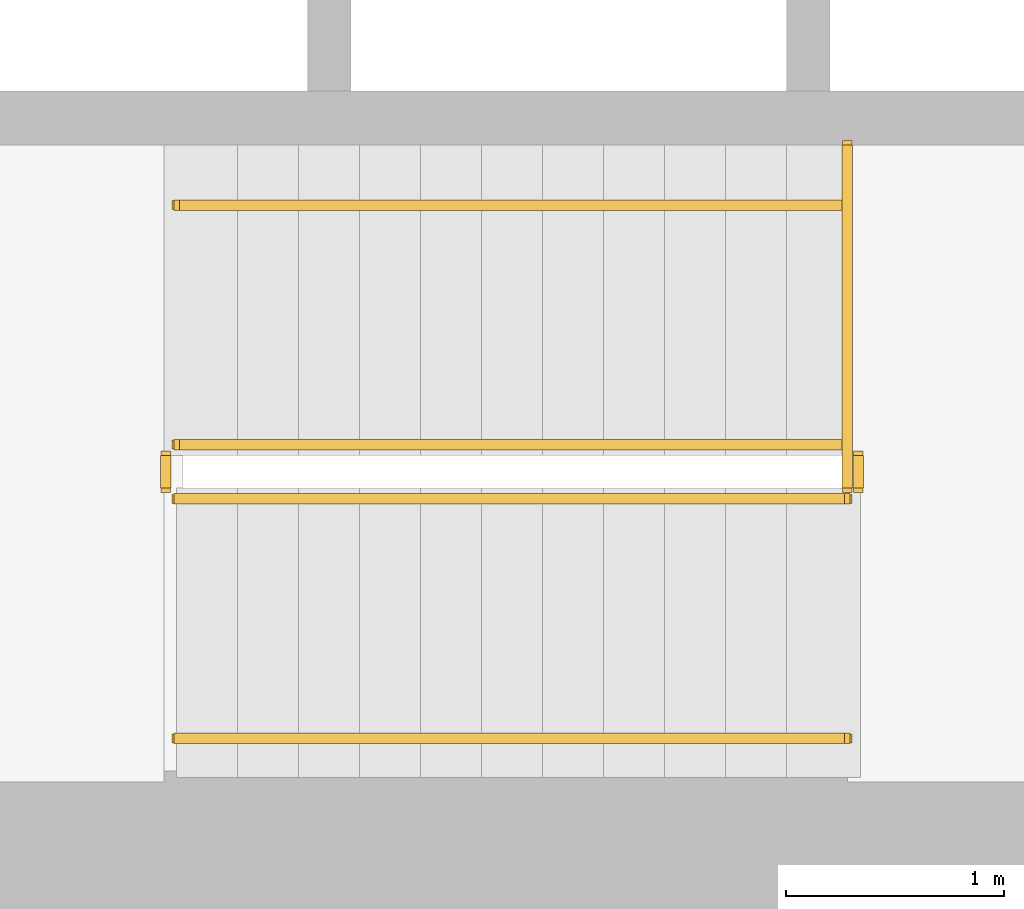
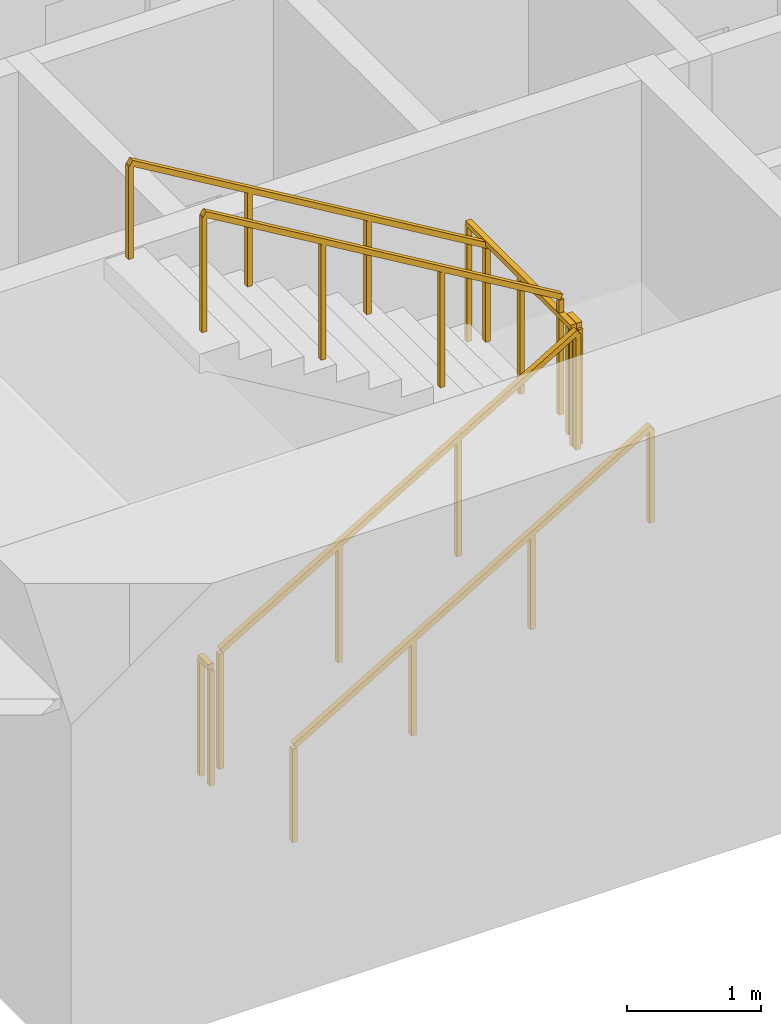
# One storey, part 14 of 17: 7 railings.
"""IFC4 building model written with IfcOpenShell, lengths in metres."""

from ifc_helpers import new_model, si_unit, direction, frame, origin, origin_2d, place, context, subcontext, project, spatial, rectangle, extrude, material, type_object, element, save


model = new_model("IFC4")

# Units and contexts
model_context = context("Model", 3, precision=1e-05, world=origin(), true_north=direction((0.0, 1.0)))
body_context = subcontext(model_context, "Body", "Model", "MODEL_VIEW")
ifc_project = project(units=[si_unit("LENGTHUNIT", "METRE"), si_unit("AREAUNIT", "SQUARE_METRE"), si_unit("VOLUMEUNIT", "CUBIC_METRE"), si_unit("PLANEANGLEUNIT", "RADIAN"), si_unit("MASSUNIT", "GRAM", prefix="KILO")], contexts=[model_context])

# Site, building, storey
site_placement = place(None, origin())
site = spatial("IfcSite", under=ifc_project, at=site_placement, CompositionType="ELEMENT")
building_placement = place(site_placement, origin())
building = spatial("IfcBuilding", under=site, at=building_placement, Name="Sennacour Bend Tower", CompositionType="ELEMENT")
storey_placement = place(building_placement, frame((0.0, 0.0, 53.0)))
storey = spatial("IfcBuildingStorey", under=building, at=storey_placement, Name="L11", CompositionType="ELEMENT", Elevation=53.0)

# Railings
ifc_material = material(Name="Stainless steel", Category="steel")
railing_type_1 = type_object("IfcRailingType", Name="RL-GUARD-1100", PredefinedType="GUARDRAIL", material=ifc_material)
railing_1_placement = place(storey_placement, frame((56.699951171875, 2.449951171875, 0.166748046875)))
element("IfcRailing", 1, at=railing_1_placement, inside=storey, type_object=railing_type_1, Name="L11 SA1 stair guard 1", PredefinedType="GUARDRAIL", context=body_context, shape_type="SweptSolid", body=[
    extrude(rectangle(XDim=0.048095703125, YDim=0.048095703125, at=origin_2d()), frame((0.0, 0.0, 1.076171875), z_axis=(0.859308565015, 0.0, 0.511457515432), x_axis=(0.0, 1.0, 0.0)), (0.0, 0.0, 1.0), 3.58447265625),
    extrude(rectangle(XDim=0.0419921875, YDim=0.0419921875, at=origin_2d()), origin(), (0.0, 0.0, 1.0), 1.052001953125),
    extrude(rectangle(XDim=0.0419921875, YDim=0.0419921875, at=origin_2d()), frame((1.026611328125, 0.0, 0.611083984375)), (0.0, 0.0, 1.0), 1.052001953125),
    extrude(rectangle(XDim=0.0419921875, YDim=0.0419921875, at=origin_2d()), frame((2.053466796875, 0.0, 1.22216796875)), (0.0, 0.0, 1.0), 1.052001953125),
    extrude(rectangle(XDim=0.0419921875, YDim=0.0419921875, at=origin_2d()), frame((3.080078125, 0.0, 1.833251953125)), (0.0, 0.0, 1.0), 1.052001953125),
])
railing_2_placement = place(storey_placement, frame((59.830078125, 2.5, 2.0)))
element("IfcRailing", 2, at=railing_2_placement, inside=storey, type_object=railing_type_1, Name="L11 SA1 stair guard 2", PredefinedType="GUARDRAIL", context=body_context, shape_type="SweptSolid", body=[
    extrude(rectangle(XDim=0.048095703125, YDim=0.048095703125, at=origin_2d()), frame((0.0, 0.0, 1.076171875), z_axis=(0.0, 1.0, 0.0), x_axis=(-1.0, 0.0, 0.0)), (0.0, 0.0, 1.0), 0.14990234375),
    extrude(rectangle(XDim=0.0419921875, YDim=0.0419921875, at=origin_2d()), origin(), (0.0, 0.0, 1.0), 1.052001953125),
    extrude(rectangle(XDim=0.0419921875, YDim=0.0419921875, at=origin_2d()), frame((0.0, 0.14990234375, 0.0)), (0.0, 0.0, 1.0), 1.052001953125),
])
railing_3_placement = place(storey_placement, frame((59.780029296875, 2.699951171875, 2.166748046875)))
element("IfcRailing", 3, at=railing_3_placement, inside=storey, type_object=railing_type_1, Name="L11 SA1 stair guard 4", PredefinedType="GUARDRAIL", context=body_context, shape_type="SweptSolid", body=[
    extrude(rectangle(XDim=0.048095703125, YDim=0.048095703125, at=origin_2d()), frame((0.0, 0.0, 1.076171875), z_axis=(-0.859308565015, 0.0, 0.511457515432), x_axis=(0.0, -1.0, 0.0)), (0.0, 0.0, 1.0), 3.58447265625),
    extrude(rectangle(XDim=0.0419921875, YDim=0.0419921875, at=origin_2d()), origin(), (0.0, 0.0, 1.0), 1.052001953125),
    extrude(rectangle(XDim=0.0419921875, YDim=0.0419921875, at=origin_2d()), frame((-1.026611328125, 0.0, 0.611083984375)), (0.0, 0.0, 1.0), 1.052001953125),
    extrude(rectangle(XDim=0.0419921875, YDim=0.0419921875, at=origin_2d()), frame((-2.053466796875, 0.0, 1.22216796875)), (0.0, 0.0, 1.0), 1.052001953125),
    extrude(rectangle(XDim=0.0419921875, YDim=0.0419921875, at=origin_2d()), frame((-3.080078125, 0.0, 1.833251953125)), (0.0, 0.0, 1.0), 1.052001953125),
])
railing_4_placement = place(storey_placement, frame((56.64990234375, 2.5, 0.0)))
element("IfcRailing", 4, at=railing_4_placement, inside=storey, type_object=railing_type_1, Name="L11 SA1 stair guard 5", PredefinedType="GUARDRAIL", context=body_context, shape_type="SweptSolid", body=[
    extrude(rectangle(XDim=0.048095703125, YDim=0.048095703125, at=origin_2d()), frame((0.0, 0.0, 1.076171875), z_axis=(0.0, 1.0, 0.0), x_axis=(-1.0, 0.0, 0.0)), (0.0, 0.0, 1.0), 0.14990234375),
    extrude(rectangle(XDim=0.0419921875, YDim=0.0419921875, at=origin_2d()), origin(), (0.0, 0.0, 1.0), 1.052001953125),
    extrude(rectangle(XDim=0.0419921875, YDim=0.0419921875, at=origin_2d()), frame((0.0, 0.14990234375, 0.0)), (0.0, 0.0, 1.0), 1.052001953125),
])
railing_5_placement = place(storey_placement, frame((59.780029296875, 2.5, 2.0)))
element("IfcRailing", 5, at=railing_5_placement, inside=storey, type_object=railing_type_1, Name="L11 SA1 landing edge guard 26", PredefinedType="GUARDRAIL", context=body_context, shape_type="SweptSolid", body=[
    extrude(rectangle(XDim=0.048095703125, YDim=0.048095703125, at=origin_2d()), frame((0.0, 0.0, 1.076171875), z_axis=(0.0, 1.0, 0.0), x_axis=(-1.0, 0.0, 0.0)), (0.0, 0.0, 1.0), 1.574951171875),
    extrude(rectangle(XDim=0.0419921875, YDim=0.0419921875, at=origin_2d()), origin(), (0.0, 0.0, 1.0), 1.052001953125),
    extrude(rectangle(XDim=0.0419921875, YDim=0.0419921875, at=origin_2d()), frame((0.0, 0.78759765625, 0.0)), (0.0, 0.0, 1.0), 1.052001953125),
    extrude(rectangle(XDim=0.0419921875, YDim=0.0419921875, at=origin_2d()), frame((0.0, 1.574951171875, 0.0)), (0.0, 0.0, 1.0), 1.052001953125),
])
railing_type_2 = type_object("IfcRailingType", Name="RL-HANDRAIL-900", PredefinedType="HANDRAIL", material=ifc_material)
railing_6_placement = place(storey_placement, frame((56.699951171875, 1.35009765625, 0.166748046875)))
element("IfcRailing", 6, at=railing_6_placement, inside=storey, type_object=railing_type_2, Name="L11 SA1 stair handrail 1", PredefinedType="HANDRAIL", context=body_context, shape_type="SweptSolid", body=[
    extrude(rectangle(XDim=0.048095703125, YDim=0.048095703125, at=origin_2d()), frame((0.0, 0.0, 0.8759765625), z_axis=(0.859308565015, 0.0, 0.511457515432), x_axis=(0.0, 1.0, 0.0)), (0.0, 0.0, 1.0), 3.58447265625),
    extrude(rectangle(XDim=0.0419921875, YDim=0.0419921875, at=origin_2d()), origin(), (0.0, 0.0, 1.0), 0.851806640625),
    extrude(rectangle(XDim=0.0419921875, YDim=0.0419921875, at=origin_2d()), frame((1.026611328125, 0.0, 0.611083984375)), (0.0, 0.0, 1.0), 0.851806640625),
    extrude(rectangle(XDim=0.0419921875, YDim=0.0419921875, at=origin_2d()), frame((2.053466796875, 0.0, 1.22216796875)), (0.0, 0.0, 1.0), 0.851806640625),
    extrude(rectangle(XDim=0.0419921875, YDim=0.0419921875, at=origin_2d()), frame((3.080078125, 0.0, 1.833251953125)), (0.0, 0.0, 1.0), 0.851806640625),
])
railing_7_placement = place(storey_placement, frame((59.780029296875, 3.800048828125, 2.166748046875)))
element("IfcRailing", 7, at=railing_7_placement, inside=storey, type_object=railing_type_2, Name="L11 SA1 stair handrail 2", PredefinedType="HANDRAIL", context=body_context, shape_type="SweptSolid", body=[
    extrude(rectangle(XDim=0.048095703125, YDim=0.048095703125, at=origin_2d()), frame((0.0, 0.0, 0.8759765625), z_axis=(-0.859308565015, 0.0, 0.511457515432), x_axis=(0.0, -1.0, 0.0)), (0.0, 0.0, 1.0), 3.58447265625),
    extrude(rectangle(XDim=0.0419921875, YDim=0.0419921875, at=origin_2d()), origin(), (0.0, 0.0, 1.0), 0.851806640625),
    extrude(rectangle(XDim=0.0419921875, YDim=0.0419921875, at=origin_2d()), frame((-1.026611328125, 0.0, 0.611083984375)), (0.0, 0.0, 1.0), 0.851806640625),
    extrude(rectangle(XDim=0.0419921875, YDim=0.0419921875, at=origin_2d()), frame((-2.053466796875, 0.0, 1.22216796875)), (0.0, 0.0, 1.0), 0.851806640625),
    extrude(rectangle(XDim=0.0419921875, YDim=0.0419921875, at=origin_2d()), frame((-3.080078125, 0.0, 1.833251953125)), (0.0, 0.0, 1.0), 0.851806640625),
])

save(model, "model.ifc")
